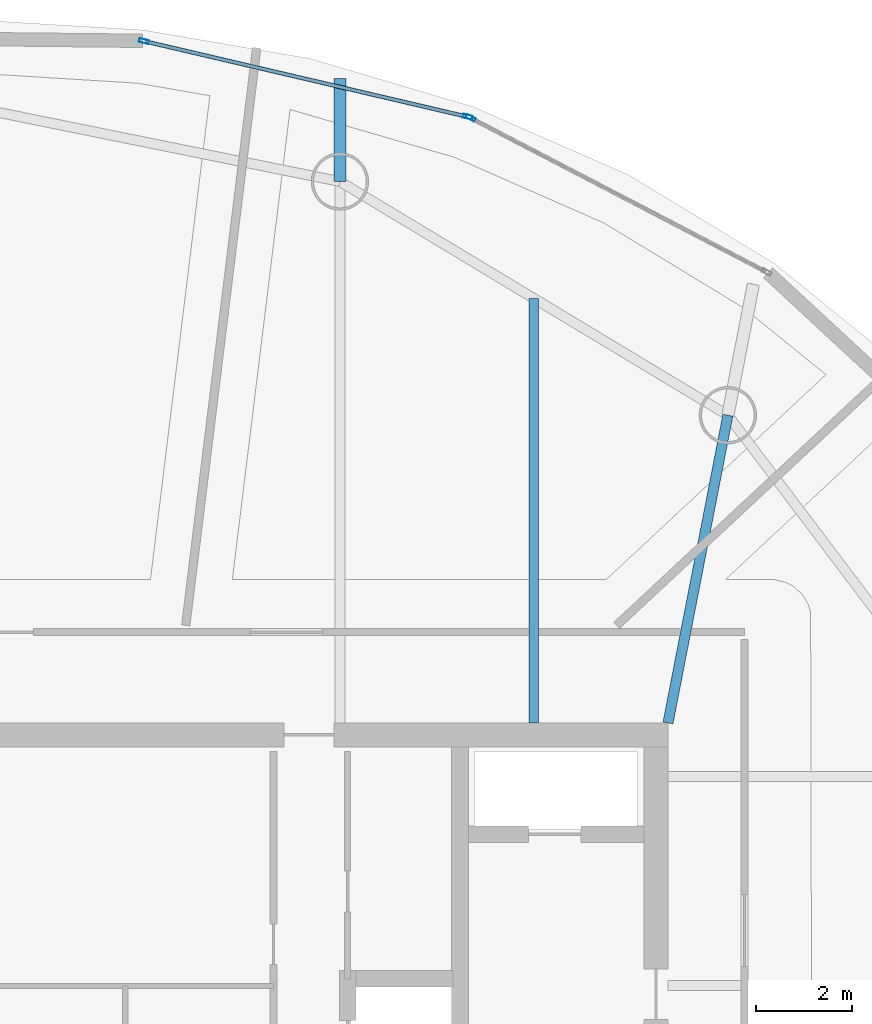
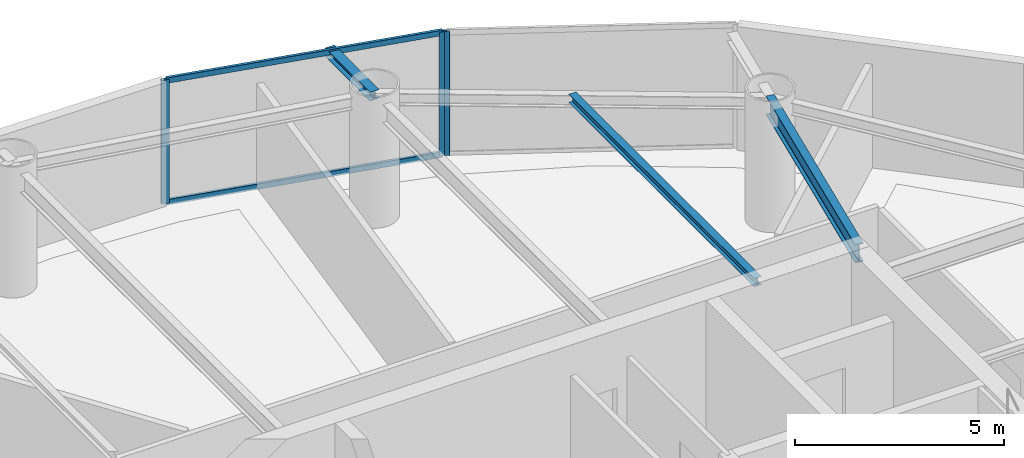
# One storey, part 14 of 25: 5 members, 3 beams, 2 elements without a shape of their own.
"""IFC4 building model written with IfcOpenShell, lengths in metres."""

import ifcopenshell
import ifcopenshell.guid

model = None  # the IFC model being written
_history = None  # IfcOwnerHistory: only IFC2X3 demands one
_inside = {}  # id of a spatial element -> (the spatial element, [elements in it])
_under = {}  # id of a project, library or spatial element -> (it, [spatial elements below it])
_declared = {}  # id of a project -> (the project, [libraries it declares])
_typed = {}  # id of a type object -> (the type object, [elements of that type])
_made_of = {}  # id of a material, layer set ... -> (it, [elements and type objects made of it])


def new_model(schema):
    """Start an empty IFC model of exactly this schema.

    Asked for "IFC4X3", IfcOpenShell would pick the latest addendum, in which some entities
    have other attributes; the version numbers below select the first issue.
    IFC2X3 requires an IfcOwnerHistory on every rooted entity: one is made here for all.
    """
    global model, _history
    if schema == "IFC4X3":
        model = ifcopenshell.file(schema_version=(4, 3, 0, 0))
    else:
        model = ifcopenshell.file(schema=schema)
    _inside.clear()
    _under.clear()
    _declared.clear()
    _typed.clear()
    _made_of.clear()
    _history = None
    if model.schema == "IFC2X3":
        org = make("IfcOrganization", Name="unknown")
        user = make(
            "IfcPersonAndOrganization",
            ThePerson=make("IfcPerson", FamilyName="unknown"),
            TheOrganization=org,
        )
        app = make(
            "IfcApplication",
            ApplicationDeveloper=org,
            Version="unknown",
            ApplicationFullName="unknown",
            ApplicationIdentifier="unknown",
        )
        _history = make(
            "IfcOwnerHistory",
            OwningUser=user,
            OwningApplication=app,
            ChangeAction="ADDED",
            CreationDate=0,
        )
    return model


def make(cls, **values):
    """One entity of the class cls with the attributes given. An attribute that is None is left unset."""
    return model.create_entity(
        cls, **{name: value for name, value in values.items() if value is not None}
    )


def rooted(cls, **values):
    """An entity with a GlobalId (a new one), such as an element, a storey or a relation."""
    return make(cls, GlobalId=ifcopenshell.guid.new(), OwnerHistory=_history, **values)


def si_unit(unit_type, name, prefix=None):
    """IfcSIUnit, for example si_unit("LENGTHUNIT", "METRE", prefix="MILLI")."""
    return make("IfcSIUnit", UnitType=unit_type, Prefix=prefix, Name=name)


def assignment(units):
    """IfcUnitAssignment: the units of a project."""
    return None if units is None else make("IfcUnitAssignment", Units=units)


def point(xyz):
    """IfcCartesianPoint."""
    return None if xyz is None else make("IfcCartesianPoint", Coordinates=xyz)


def direction(xyz):
    """IfcDirection."""
    return None if xyz is None else make("IfcDirection", DirectionRatios=xyz)


def frame(location, z_axis=None, x_axis=None):
    """IfcAxis2Placement3D, a coordinate frame: its origin and axes. An axis left out is left unset."""
    return make(
        "IfcAxis2Placement3D",
        Location=point(location),
        Axis=direction(z_axis),
        RefDirection=direction(x_axis),
    )


def frame_2d(location, x_axis=None):
    """IfcAxis2Placement2D, a coordinate frame in the plane: its origin and x axis."""
    return make(
        "IfcAxis2Placement2D", Location=point(location), RefDirection=direction(x_axis)
    )


def origin():
    """The frame at (0, 0, 0) with its axes left unset."""
    return frame((0.0, 0.0, 0.0))


def origin_2d():
    """The frame at (0, 0) in the plane with its x axis left unset."""
    return frame_2d((0.0, 0.0))


def place(relative_to, where):
    """IfcLocalPlacement: puts the frame where relative to a parent placement (None: the world)."""
    return make(
        "IfcLocalPlacement", PlacementRelTo=relative_to, RelativePlacement=where
    )


def context(
    kind, dimensions, precision=None, world=None, true_north=None, identifier=None
):
    """IfcGeometricRepresentationContext, for example the 3D "Model" context."""
    return make(
        "IfcGeometricRepresentationContext",
        ContextIdentifier=identifier,
        ContextType=kind,
        CoordinateSpaceDimension=dimensions,
        Precision=precision,
        WorldCoordinateSystem=world,
        TrueNorth=true_north,
    )


def subcontext(parent, identifier, kind, view, scale=None):
    """IfcGeometricRepresentationSubContext, for example "Body" below "Model"."""
    return make(
        "IfcGeometricRepresentationSubContext",
        ContextIdentifier=identifier,
        ContextType=kind,
        ParentContext=parent,
        TargetScale=scale,
        TargetView=view,
    )


def project(units=None, contexts=None):
    """IfcProject with its units and contexts."""
    return rooted(
        "IfcProject",
        Name="project",
        RepresentationContexts=contexts,
        UnitsInContext=assignment(units),
    )


def spatial(cls, under=None, at=None, **own):
    """A site, building, storey or space (cls), placed at a placement, below another one or the project."""
    s = rooted(cls, ObjectPlacement=at, **own)
    if under is not None:
        _under.setdefault(under.id(), (under, []))[1].append(s)
    return s


def profile(cls, at=None, kind="AREA", **sizes):
    """A parametric profile (cls). Its sizes go by their IFC names, for example OverallWidth=200.0."""
    return make(cls, ProfileType=kind, Position=at, **sizes)


def hollow_rectangle(**sizes):
    """IfcRectangleHollowProfileDef."""
    return profile("IfcRectangleHollowProfileDef", **sizes)


def i_section(**sizes):
    """IfcIShapeProfileDef."""
    return profile("IfcIShapeProfileDef", **sizes)


def extrude(swept, where, along, depth):
    """IfcExtrudedAreaSolid: the profile swept, set in the frame where, extruded along a direction by depth."""
    return make(
        "IfcExtrudedAreaSolid",
        SweptArea=swept,
        Position=where,
        ExtrudedDirection=direction(along),
        Depth=depth,
    )


def shape(context_of_items, identifier, shape_type, items):
    """IfcShapeRepresentation: the items that make up one representation, for example the "Body"."""
    return make(
        "IfcShapeRepresentation",
        ContextOfItems=context_of_items,
        RepresentationIdentifier=identifier,
        RepresentationType=shape_type,
        Items=items,
    )


def material(Name=None, Category=None):
    """IfcMaterial."""
    return make("IfcMaterial", Name=Name, Category=Category)


def layer(
    of_material, thickness, ventilated=None, Name=None, Category=None, Priority=None
):
    """IfcMaterialLayer: one layer of a wall or slab, of a material (None: an air gap)."""
    return make(
        "IfcMaterialLayer",
        Material=of_material,
        LayerThickness=thickness,
        IsVentilated=ventilated,
        Name=Name,
        Category=Category,
        Priority=Priority,
    )


def layer_set(layers, Name=None):
    """IfcMaterialLayerSet."""
    return make("IfcMaterialLayerSet", MaterialLayers=layers, LayerSetName=Name)


def material_profile(
    of_material, cross_section, Name=None, Category=None, Priority=None
):
    """IfcMaterialProfile: a cross section and its material."""
    return make(
        "IfcMaterialProfile",
        Name=Name,
        Material=of_material,
        Profile=cross_section,
        Priority=Priority,
        Category=Category,
    )


def profile_set(profiles, Name=None, composite=None):
    """IfcMaterialProfileSet."""
    return make(
        "IfcMaterialProfileSet",
        Name=Name,
        MaterialProfiles=profiles,
        CompositeProfile=composite,
    )


def made_of(thing, what):
    """Note that an element or type object is made of a material, layer set ...; save() writes the relation."""
    if what is not None:
        _made_of.setdefault(what.id(), (what, []))[1].append(thing)
    return thing


def type_object(cls, material=None, **own):
    """A type object (cls), such as IfcWallType, which elements share."""
    return made_of(rooted(cls, **own), material)


def element(
    cls,
    number,
    at=None,
    inside=None,
    cuts=None,
    type_object=None,
    material=None,
    context=None,
    identifier="Body",
    shape_type=None,
    held_by="IfcProductDefinitionShape",
    body=None,
    shapes=None,
    **own,
):
    """One element of the class cls, such as IfcWall. Its Tag is "e" and its number.

    at: its placement. inside: the storey or other place that contains it. cuts: it is an
    opening in that element (IfcRelVoidsElement). A single representation is given by context,
    identifier, shape_type and body (its items); several are given by shapes. held_by: the class
    of the entity that holds the representations. save() writes the other relations.
    """
    e = rooted(cls, Tag="e%d" % number, ObjectPlacement=at, **own)
    if body is not None:
        shapes = [shape(context, identifier, shape_type, body)]
    if shapes is not None:
        e.Representation = make(held_by, Representations=shapes)
    if inside is not None:
        _inside.setdefault(inside.id(), (inside, []))[1].append(e)
    if cuts is not None:
        rooted(
            "IfcRelVoidsElement", RelatingBuildingElement=cuts, RelatedOpeningElement=e
        )
    if type_object is not None:
        _typed.setdefault(type_object.id(), (type_object, []))[1].append(e)
    return made_of(e, material)


def aggregate(whole, parts):
    """IfcRelAggregates: a whole, such as a stair, and the parts it consists of."""
    return rooted("IfcRelAggregates", RelatingObject=whole, RelatedObjects=parts)


def save(model, path):
    """Write the relations noted so far, then the file.

    IfcRelAggregates (storeys below a building ...), IfcRelContainedInSpatialStructure (elements
    in a storey), IfcRelDefinesByType, IfcRelAssociatesMaterial and IfcRelDeclares: one each for
    every whole, place, type object, material and project.
    """
    for whole, parts in _under.values():
        aggregate(whole, parts)
    for where, things in _inside.values():
        rooted(
            "IfcRelContainedInSpatialStructure",
            RelatedElements=things,
            RelatingStructure=where,
        )
    for kind, things in _typed.values():
        rooted("IfcRelDefinesByType", RelatedObjects=things, RelatingType=kind)
    for what, things in _made_of.values():
        rooted("IfcRelAssociatesMaterial", RelatedObjects=things, RelatingMaterial=what)
    for by, libraries in _declared.values():
        rooted("IfcRelDeclares", RelatingContext=by, RelatedDefinitions=libraries)
    model.write(path)


model = new_model("IFC4")

# Units and contexts
model_context = context("Model", 3, precision=1e-05, world=origin(), true_north=direction((0.0, 1.0)))
body_context = subcontext(model_context, "Body", "Model", "MODEL_VIEW")
ifc_project = project(units=[si_unit("LENGTHUNIT", "METRE"), si_unit("AREAUNIT", "SQUARE_METRE"), si_unit("VOLUMEUNIT", "CUBIC_METRE"), si_unit("PLANEANGLEUNIT", "RADIAN"), si_unit("MASSUNIT", "GRAM", prefix="KILO")], contexts=[model_context])

# Site, building, storey
site_placement = place(None, origin())
site = spatial("IfcSite", under=ifc_project, at=site_placement, CompositionType="ELEMENT")
building_placement = place(site_placement, origin())
building = spatial("IfcBuilding", under=site, at=building_placement, Name="Bramvorn Convention Spire", CompositionType="ELEMENT")
storey_placement = place(building_placement, frame((0.0, 0.0, 171.199951171875)))
storey = spatial("IfcBuildingStorey", under=building, at=storey_placement, Name="L43", CompositionType="ELEMENT", Elevation=171.199951171875)

# Beams
ifc_material_1 = material(Name="Steel CSA G40.21 Grade 350 (350W)", Category="steel")
ifc_material_profile_1 = material_profile(ifc_material_1, i_section(OverallWidth=0.201904296875, OverallDepth=0.2470703125, WebThickness=0.00732421875, FlangeThickness=0.010986328125, FilletRadius=0.011962890625, at=origin_2d()))
ifc_profile_set_1 = profile_set([ifc_material_profile_1], Name="Steel CSA G40.21 Grade 350 (350W) - W250X49")
beam_type_1 = type_object("IfcBeamType", Name="BM-W250X49", PredefinedType="JOIST", material=ifc_profile_set_1)
beam_1_placement = place(storey_placement, frame((46.445556640625, 33.449951171875, 3.49658203125), z_axis=(0.0, 1.0, 0.0), x_axis=(-1.0, 0.0, 0.0)))
element("IfcBeam", 1, at=beam_1_placement, inside=storey, type_object=beam_type_1, Name="L43 composite floor joist 05", PredefinedType="JOIST", context=body_context, shape_type="SweptSolid", body=[
    extrude(i_section(OverallWidth=0.201904296875, OverallDepth=0.2470703125, WebThickness=0.00732421875, FlangeThickness=0.010986328125, FilletRadius=0.011962890625, at=origin_2d()), origin(), (0.0, 0.0, 1.0), 8.878662109375),
])
ifc_material_profile_2 = material_profile(ifc_material_1, i_section(OverallWidth=0.25390625, OverallDepth=0.2529296875, WebThickness=0.008544921875, FlangeThickness=0.01416015625, FilletRadius=0.011962890625, at=origin_2d()))
ifc_profile_set_2 = profile_set([ifc_material_profile_2], Name="Steel CSA G40.21 Grade 350 (350W) - W250X73")
beam_type_2 = type_object("IfcBeamType", Name="BM-W250X73", PredefinedType="BEAM", material=ifc_profile_set_2)
beam_2_placement = place(storey_placement, frame((42.38916015625, 44.772216796875, 3.49365234375), z_axis=(0.0, 1.0, 0.0), x_axis=(-1.0, 0.0, 0.0)))
element("IfcBeam", 2, at=beam_2_placement, inside=storey, type_object=beam_type_2, Name="L43 slab-edge cantilever tip beam MC06", PredefinedType="BEAM", context=body_context, shape_type="SweptSolid", body=[
    extrude(i_section(OverallWidth=0.25390625, OverallDepth=0.2529296875, WebThickness=0.008544921875, FlangeThickness=0.01416015625, FilletRadius=0.011962890625, at=origin_2d()), origin(), (0.0, 0.0, 1.0), 2.15185546875),
])
ifc_material_profile_3 = material_profile(ifc_material_1, i_section(OverallWidth=0.2119140625, OverallDepth=0.5439453125, WebThickness=0.01318359375, FlangeThickness=0.021240234375, FilletRadius=0.01904296875, at=origin_2d()))
ifc_profile_set_3 = profile_set([ifc_material_profile_3], Name="Steel CSA G40.21 Grade 350 (350W) - W530X123")
beam_type_3 = type_object("IfcBeamType", Name="BM-W530X123", PredefinedType="BEAM", material=ifc_profile_set_3)
beam_3_placement = place(storey_placement, frame((49.25, 33.449951171875, 3.34814453125), z_axis=(0.190971329886, 0.981595614885, 0.0), x_axis=(-0.981595614885, 0.190971329886, 0.0)))
element("IfcBeam", 3, at=beam_3_placement, inside=storey, type_object=beam_type_3, Name="L43 radial floor girder MC05", PredefinedType="BEAM", context=body_context, shape_type="SweptSolid", body=[
    extrude(i_section(OverallWidth=0.2119140625, OverallDepth=0.5439453125, WebThickness=0.01318359375, FlangeThickness=0.021240234375, FilletRadius=0.01904296875, at=origin_2d()), origin(), (0.0, 0.0, 1.0), 6.5556640625),
])

# Curtain wall, member
ifc_material_2 = material(Name="Anodised Bronze Unitised Curtain Wall", Category="aluminium")
ifc_layer = layer(ifc_material_2, 0.179931640625)
ifc_layer_set = layer_set([ifc_layer], Name="Anodised Bronze Unitised Curtain Wall - CW-OFF-FRIT")
curtain_wall_type = type_object("IfcCurtainWallType", Name="CW-OFF-FRIT", PredefinedType="USERDEFINED", material=ifc_layer_set)
curtain_wall_1_placement = place(storey_placement, origin())
curtain_wall_1 = element("IfcCurtainWall", 4, at=curtain_wall_1_placement, inside=storey, type_object=curtain_wall_type, Name="L43 fritted glass curtain wall 07", ObjectType="UNITISED CURTAIN WALL", PredefinedType="USERDEFINED")
ifc_material_3 = material(Name="Anodised Bronze Aluminium 6063-T6", Category="aluminium")
ifc_material_profile_4 = material_profile(ifc_material_3, hollow_rectangle(XDim=0.080078125, YDim=0.199951171875, WallThickness=0.00390625, InnerFilletRadius=0.0009765625, OuterFilletRadius=0.00390625, at=origin_2d()))
ifc_profile_set_4 = profile_set([ifc_material_profile_4], Name="Anodised Bronze Aluminium 6063-T6 - CWM80X200")
member_type_1 = type_object("IfcMemberType", Name="CW-MUL-180", PredefinedType="MULLION", material=ifc_profile_set_4)
member_1_placement = place(storey_placement, frame((45.119384765625, 46.104248046875, 0.0), z_axis=(0.0, 0.0, 1.0), x_axis=(0.461806718149, 0.886980583256, 0.0)))
member_1 = element("IfcMember", 5, at=member_1_placement, type_object=member_type_1, Name="CW3 mullion 1", PredefinedType="MULLION", context=body_context, shape_type="SweptSolid", body=[
    extrude(hollow_rectangle(XDim=0.080078125, YDim=0.199951171875, WallThickness=0.00390625, InnerFilletRadius=0.0009765625, OuterFilletRadius=0.00390625, at=origin_2d()), origin(), (0.0, 0.0, 1.0), 3.6201171875),
])
aggregate(curtain_wall_1, [member_1])

# Curtain wall, members
curtain_wall_2_placement = place(storey_placement, origin())
curtain_wall_2 = element("IfcCurtainWall", 6, at=curtain_wall_2_placement, inside=storey, type_object=curtain_wall_type, Name="L43 fritted glass curtain wall 08", ObjectType="UNITISED CURTAIN WALL", PredefinedType="USERDEFINED")
member_2_placement = place(storey_placement, frame((38.288818359375, 47.708984375, 0.0), z_axis=(0.0, 0.0, 1.0), x_axis=(0.227670603334, 0.973738207311, 0.0)))
member_2 = element("IfcMember", 7, at=member_2_placement, type_object=member_type_1, Name="CW3 mullion 1", PredefinedType="MULLION", context=body_context, shape_type="SweptSolid", body=[
    extrude(hollow_rectangle(XDim=0.080078125, YDim=0.199951171875, WallThickness=0.00390625, InnerFilletRadius=0.0009765625, OuterFilletRadius=0.00390625, at=origin_2d()), origin(), (0.0, 0.0, 1.0), 3.6201171875),
])
member_3_placement = place(storey_placement, frame((45.0634765625, 46.125, 0.0), z_axis=(0.0, 0.0, 1.0), x_axis=(0.227670603334, 0.973738207311, 0.0)))
member_3 = element("IfcMember", 8, at=member_3_placement, type_object=member_type_1, Name="CW3 mullion 2", PredefinedType="MULLION", context=body_context, shape_type="SweptSolid", body=[
    extrude(hollow_rectangle(XDim=0.080078125, YDim=0.199951171875, WallThickness=0.00390625, InnerFilletRadius=0.0009765625, OuterFilletRadius=0.00390625, at=origin_2d()), origin(), (0.0, 0.0, 1.0), 3.6201171875),
])
ifc_material_profile_5 = material_profile(ifc_material_3, hollow_rectangle(XDim=0.080078125, YDim=0.159912109375, WallThickness=0.00390625, InnerFilletRadius=0.0009765625, OuterFilletRadius=0.00390625, at=origin_2d()))
ifc_profile_set_5 = profile_set([ifc_material_profile_5], Name="Anodised Bronze Aluminium 6063-T6 - CWT80X160")
member_type_2 = type_object("IfcMemberType", Name="CW-TRN-150", PredefinedType="USERDEFINED", material=ifc_profile_set_5)
member_4_placement = place(storey_placement, frame((38.31787109375, 47.7021484375, 0.030029296875), z_axis=(0.973741122881, -0.227658133197, 0.0), x_axis=(0.227658133197, 0.973741122881, 0.0)))
member_4 = element("IfcMember", 9, at=member_4_placement, type_object=member_type_2, Name="CW3 transom 1.1", ObjectType="TRANSOM", PredefinedType="USERDEFINED", context=body_context, shape_type="SweptSolid", body=[
    extrude(hollow_rectangle(XDim=0.080078125, YDim=0.159912109375, WallThickness=0.00390625, InnerFilletRadius=0.0009765625, OuterFilletRadius=0.00390625, at=origin_2d()), origin(), (0.0, 0.0, 1.0), 6.897705078125),
])
member_5_placement = place(storey_placement, frame((38.31787109375, 47.7021484375, 3.590087890625), z_axis=(0.973741122881, -0.227658133197, 0.0), x_axis=(0.227658133197, 0.973741122881, 0.0)))
member_5 = element("IfcMember", 10, at=member_5_placement, type_object=member_type_2, Name="CW3 transom 1.2", ObjectType="TRANSOM", PredefinedType="USERDEFINED", context=body_context, shape_type="SweptSolid", body=[
    extrude(hollow_rectangle(XDim=0.080078125, YDim=0.159912109375, WallThickness=0.00390625, InnerFilletRadius=0.0009765625, OuterFilletRadius=0.00390625, at=origin_2d()), origin(), (0.0, 0.0, 1.0), 6.897705078125),
])
aggregate(curtain_wall_2, [member_2, member_3, member_4, member_5])

save(model, "model.ifc")
